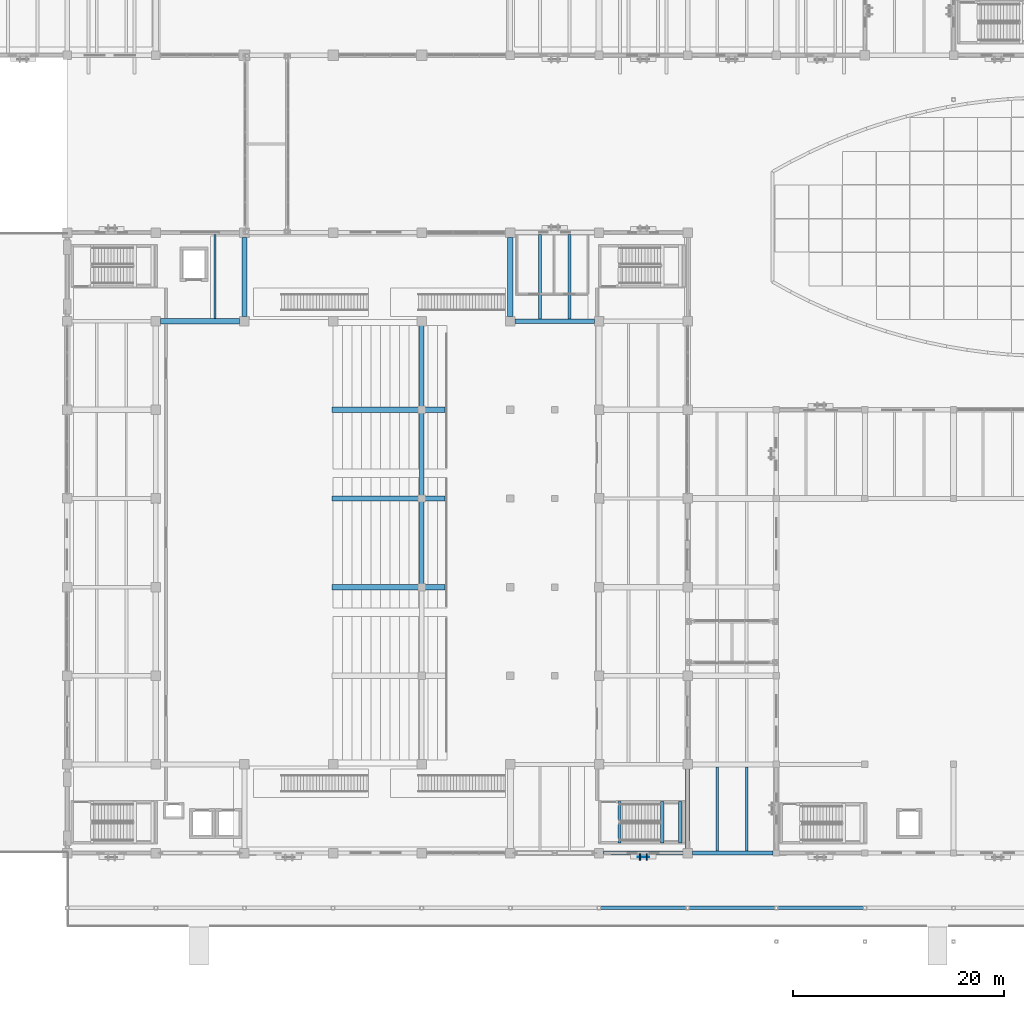
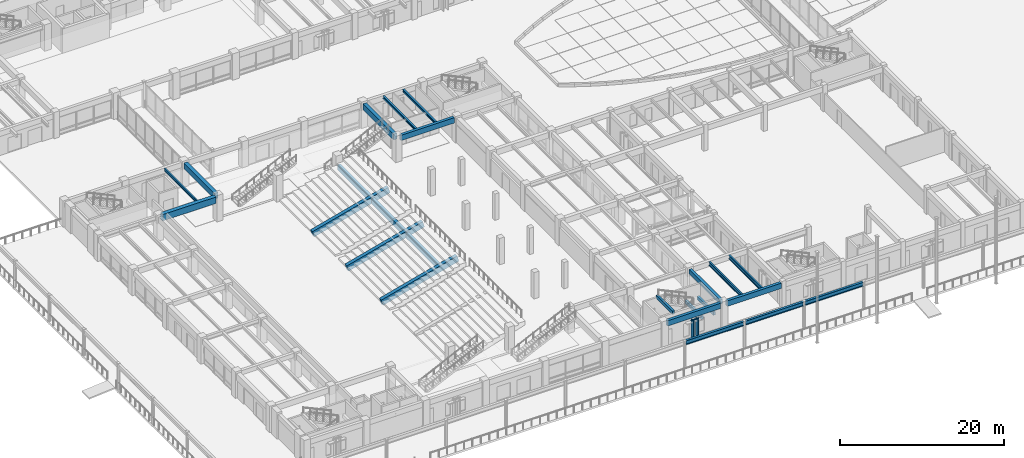
# One storey, part 28 of 135: 24 beams, 3 members, 1 element without a shape of its own.
"""IFC4 building model written with IfcOpenShell, lengths in metres."""

from ifc_helpers import new_model, si_unit, direction, frame, origin, origin_2d, place, context, subcontext, project, spatial, rectangle, i_section, extrude, material, material_profile, profile_set, type_object, element, aggregate, save


model = new_model("IFC4")

# Units and contexts
model_context = context("Model", 3, precision=1e-05, world=origin(), true_north=direction((0.0, 1.0)))
body_context = subcontext(model_context, "Body", "Model", "MODEL_VIEW")
ifc_project = project(units=[si_unit("LENGTHUNIT", "METRE"), si_unit("AREAUNIT", "SQUARE_METRE"), si_unit("VOLUMEUNIT", "CUBIC_METRE"), si_unit("PLANEANGLEUNIT", "RADIAN"), si_unit("MASSUNIT", "GRAM", prefix="KILO")], contexts=[model_context])

# Site, building, storey
site_placement = place(None, origin())
site = spatial("IfcSite", under=ifc_project, at=site_placement, CompositionType="ELEMENT")
building_placement = place(site_placement, origin())
building = spatial("IfcBuilding", under=site, at=building_placement, Name="Cumbredor Promenade Congress Hotel", CompositionType="ELEMENT")
storey_placement = place(building_placement, origin())
storey = spatial("IfcBuildingStorey", under=building, at=storey_placement, Name="L00", CompositionType="ELEMENT", Elevation=0.0)

# Beams
ifc_material_1 = material(Name="Concrete C40/50", Category="concrete")
ifc_material_profile_1 = material_profile(ifc_material_1, rectangle(XDim=0.39990234375, YDim=0.64990234375, at=origin_2d()), Name="RC BEAM 400x650")
ifc_profile_set_1 = profile_set([ifc_material_profile_1], Name="Concrete C40/50")
beam_type_1 = type_object("IfcBeamType", Name="BM-RC-400x650", PredefinedType="BEAM", material=ifc_profile_set_1)
beam_1_placement = place(storey_placement, frame((67.199951171875, 8.85009765625, 3.31494140625), z_axis=(0.0, 1.0, 0.0), x_axis=(-1.0, 0.0, 0.0)))
element("IfcBeam", 1, at=beam_1_placement, inside=storey, type_object=beam_type_1, Name="L01 Y-Grid Beam 110", PredefinedType="BEAM", context=body_context, shape_type="SweptSolid", body=[
    extrude(rectangle(XDim=0.39990234375, YDim=0.64990234375, at=origin_2d()), origin(), (0.0, 0.0, 1.0), 7.5),
])
ifc_material_profile_2 = material_profile(ifc_material_1, rectangle(XDim=0.449951171875, YDim=0.75, at=origin_2d()), Name="RC BEAM 450x750")
ifc_profile_set_2 = profile_set([ifc_material_profile_2], Name="Concrete C40/50")
beam_type_2 = type_object("IfcBeamType", Name="BM-RC-450x750", PredefinedType="BEAM", material=ifc_profile_set_2)
for number, where, z_axis, x_axis, name in (
    (2, (42.0, 33.60009765625, 2.14990234375), (0.0, 1.0, 0.0), (-1.0, 0.0, 0.0), "L00 Orchestra Raker Cross Stringer 3"),
    (3, (42.0, 42.0, 2.14990234375), (0.0, 1.0, 0.0), (-1.0, 0.0, 0.0), "L00 Orchestra Raker Cross Stringer 4"),
):
    element("IfcBeam", number, at=place(storey_placement, frame(where, z_axis=z_axis, x_axis=x_axis)), inside=storey, type_object=beam_type_2, Name=name, PredefinedType="BEAM", context=body_context, shape_type="SweptSolid", body=[
        extrude(rectangle(XDim=0.449951171875, YDim=0.75, at=origin_2d()), origin(), (0.0, 0.0, 1.0), 8.39990234375),
    ])
beam_2_placement = place(storey_placement, frame((42.0, 50.39990234375, 2.14990234375), z_axis=(0.0, 1.0, 0.0), x_axis=(-1.0, 0.0, 0.0)))
element("IfcBeam", 4, at=beam_2_placement, inside=storey, type_object=beam_type_2, Name="L00 Orchestra Raker Cross Stringer 5", PredefinedType="BEAM", context=body_context, shape_type="SweptSolid", body=[
    extrude(rectangle(XDim=0.449951171875, YDim=0.75, at=origin_2d()), origin(), (0.0, 0.0, 1.0), 8.050048828125),
])
ifc_material_profile_3 = material_profile(ifc_material_1, rectangle(XDim=0.5, YDim=0.85009765625, at=origin_2d()), Name="RC BEAM 500x850")
ifc_profile_set_3 = profile_set([ifc_material_profile_3], Name="Concrete C40/50")
beam_type_3 = type_object("IfcBeamType", Name="BM-RC-500x850", PredefinedType="BEAM", material=ifc_profile_set_3)
for number, where, z_axis, x_axis, name in (
    (5, (25.199951171875, 59.25, 3.215087890625), (0.0, 1.0, 0.0), (-1.0, 0.0, 0.0), "L01 Y-Grid Beam 052"),
    (6, (50.39990234375, 59.25, 3.215087890625), (0.0, 1.0, 0.0), (-1.0, 0.0, 0.0), "L01 Y-Grid Beam 076"),
):
    element("IfcBeam", number, at=place(storey_placement, frame(where, z_axis=z_axis, x_axis=x_axis)), inside=storey, type_object=beam_type_3, Name=name, PredefinedType="BEAM", context=body_context, shape_type="SweptSolid", body=[
        extrude(rectangle(XDim=0.5, YDim=0.85009765625, at=origin_2d()), origin(), (0.0, 0.0, 1.0), 7.5),
    ])
ifc_material_profile_4 = material_profile(ifc_material_1, rectangle(XDim=0.550048828125, YDim=0.949951171875, at=origin_2d()), Name="RC BEAM 550x950")
ifc_profile_set_4 = profile_set([ifc_material_profile_4], Name="Concrete C40/50")
beam_type_4 = type_object("IfcBeamType", Name="BM-RC-550x950", PredefinedType="BEAM", material=ifc_profile_set_4)
beam_3_placement = place(storey_placement, frame((17.25, 58.800048828125, 3.1650390625), z_axis=(1.0, 0.0, 0.0), x_axis=(0.0, 1.0, 0.0)))
element("IfcBeam", 7, at=beam_3_placement, inside=storey, type_object=beam_type_4, Name="L01 X-Grid Beam 041", PredefinedType="BEAM", context=body_context, shape_type="SweptSolid", body=[
    extrude(rectangle(XDim=0.550048828125, YDim=0.949951171875, at=origin_2d()), origin(), (0.0, 0.0, 1.0), 7.5),
])
ifc_material_2 = material(Name="Steel ASTM A992 Grade 50", Category="steel")
ifc_material_profile_5 = material_profile(ifc_material_2, i_section(OverallWidth=0.323974609375, OverallDepth=0.611083984375, WebThickness=0.0126953125, FlangeThickness=0.01904296875, at=origin_2d()), Name="W24X104")
ifc_profile_set_5 = profile_set([ifc_material_profile_5], Name="Steel ASTM A992 Grade 50")
beam_type_5 = type_object("IfcBeamType", Name="BM-W24X104", PredefinedType="BEAM", material=ifc_profile_set_5)
beam_4_placement = place(storey_placement, frame((58.93994140625, 3.199951171875, 3.60009765625), z_axis=(1.0, 0.0, 0.0), x_axis=(0.0, 1.0, 0.0)))
element("IfcBeam", 8, at=beam_4_placement, inside=storey, type_object=beam_type_5, Name="Riverside Colonnade Edge Beam 07", PredefinedType="BEAM", context=body_context, shape_type="SweptSolid", body=[
    extrude(i_section(OverallWidth=0.323974609375, OverallDepth=0.611083984375, WebThickness=0.0126953125, FlangeThickness=0.01904296875, at=origin_2d()), origin(), (0.0, 0.0, 1.0), 8.1201171875),
])
beam_5_placement = place(storey_placement, frame((67.340087890625, 3.199951171875, 3.60009765625), z_axis=(1.0, 0.0, 0.0), x_axis=(0.0, 1.0, 0.0)))
element("IfcBeam", 9, at=beam_5_placement, inside=storey, type_object=beam_type_5, Name="Riverside Colonnade Edge Beam 08", PredefinedType="BEAM", context=body_context, shape_type="SweptSolid", body=[
    extrude(i_section(OverallWidth=0.323974609375, OverallDepth=0.611083984375, WebThickness=0.0126953125, FlangeThickness=0.01904296875, at=origin_2d()), origin(), (0.0, 0.0, 1.0), 8.119873046875),
])
beam_6_placement = place(storey_placement, frame((75.739990234375, 3.199951171875, 3.60009765625), z_axis=(1.0, 0.0, 0.0), x_axis=(0.0, 1.0, 0.0)))
element("IfcBeam", 10, at=beam_6_placement, inside=storey, type_object=beam_type_5, Name="Riverside Colonnade Edge Beam 09", PredefinedType="BEAM", context=body_context, shape_type="SweptSolid", body=[
    extrude(i_section(OverallWidth=0.323974609375, OverallDepth=0.611083984375, WebThickness=0.0126953125, FlangeThickness=0.01904296875, at=origin_2d()), origin(), (0.0, 0.0, 1.0), 8.1201171875),
])

# Curtain wall, member
ifc_material_3 = material(Name="Thermally broken anodized aluminium and low-E glass", Category="aluminium")
curtain_wall_type = type_object("IfcCurtainWallType", Name="Solar Brise-Soleil Screen Assembly CW-07", PredefinedType="NOTDEFINED", material=ifc_material_3)
curtain_wall_placement = place(storey_placement, origin())
curtain_wall = element("IfcCurtainWall", 11, at=curtain_wall_placement, inside=storey, type_object=curtain_wall_type, Name="L00 Pier Brise-Soleil Screen 0007", PredefinedType="NOTDEFINED")
ifc_material_4 = material(Name="Thermally broken anodized aluminium", Category="aluminium")
ifc_material_profile_6 = material_profile(ifc_material_4, rectangle(XDim=0.06494140625, YDim=0.1298828125, at=origin_2d()), Name="ALU TRANSOM 65x130")
ifc_profile_set_6 = profile_set([ifc_material_profile_6], Name="Thermally broken anodized aluminium")
member_type_1 = type_object("IfcMemberType", Name="Curtain Wall Transom TR-01", PredefinedType="USERDEFINED", material=ifc_profile_set_6)
member_1_placement = place(storey_placement, frame((62.449951171875, 8.010009765625, 2.6650390625), z_axis=(1.0, 0.0, 0.0), x_axis=(0.0, 1.0, 0.0)))
member_1 = element("IfcMember", 12, at=member_1_placement, type_object=member_type_1, Name="L00 Pier Brise-Soleil Header 0009", ObjectType="TRANSOM", PredefinedType="USERDEFINED", context=body_context, shape_type="SweptSolid", body=[
    extrude(rectangle(XDim=0.06494140625, YDim=0.1298828125, at=origin_2d()), origin(), (0.0, 0.0, 1.0), 1.10009765625),
])

# Beams
ifc_material_profile_7 = material_profile(ifc_material_2, i_section(OverallWidth=0.2548828125, OverallDepth=0.35693359375, WebThickness=0.010498046875, FlangeThickness=0.018310546875, at=origin_2d()), Name="W14X68")
ifc_profile_set_7 = profile_set([ifc_material_profile_7], Name="Steel ASTM A992 Grade 50")
beam_type_6 = type_object("IfcBeamType", Name="JST-W14X68", PredefinedType="JOIST", material=ifc_profile_set_7)
for number, where, z_axis, x_axis, name in (
    (13, (53.199951171875, 59.0, 3.46142578125), (0.0, 1.0, 0.0), (-1.0, 0.0, 0.0), "L01 Secondary Floor Joist 0034"),
    (14, (56.0, 59.0, 3.46142578125), (0.0, 1.0, 0.0), (-1.0, 0.0, 0.0), "L01 Secondary Floor Joist 0035"),
):
    element("IfcBeam", number, at=place(storey_placement, frame(where, z_axis=z_axis, x_axis=x_axis)), inside=storey, type_object=beam_type_6, Name=name, PredefinedType="JOIST", context=body_context, shape_type="SweptSolid", body=[
        extrude(i_section(OverallWidth=0.2548828125, OverallDepth=0.35693359375, WebThickness=0.010498046875, FlangeThickness=0.018310546875, at=origin_2d()), origin(), (0.0, 0.0, 1.0), 8.0),
    ])
ifc_material_profile_8 = material_profile(ifc_material_2, i_section(OverallWidth=0.180908203125, OverallDepth=0.4169921875, WebThickness=0.010986328125, FlangeThickness=0.018310546875, at=origin_2d()), Name="W16X57")
ifc_profile_set_8 = profile_set([ifc_material_profile_8], Name="Steel ASTM A992 Grade 50")
beam_type_7 = type_object("IfcBeamType", Name="JST-W16X57", PredefinedType="JOIST", material=ifc_profile_set_8)
beam_7_placement = place(storey_placement, frame((22.39990234375, 59.074951171875, 3.431396484375), z_axis=(0.0, 1.0, 0.0), x_axis=(-1.0, 0.0, 0.0)))
element("IfcBeam", 15, at=beam_7_placement, inside=storey, type_object=beam_type_7, Name="L01 Secondary Floor Joist 0025", PredefinedType="JOIST", context=body_context, shape_type="SweptSolid", body=[
    extrude(i_section(OverallWidth=0.180908203125, OverallDepth=0.4169921875, WebThickness=0.010986328125, FlangeThickness=0.018310546875, at=origin_2d()), origin(), (0.0, 0.0, 1.0), 7.925048828125),
])
ifc_material_profile_9 = material_profile(ifc_material_2, i_section(OverallWidth=0.214111328125, OverallDepth=0.549072265625, WebThickness=0.0146484375, FlangeThickness=0.023681640625, at=origin_2d()), Name="W21X93")
ifc_profile_set_9 = profile_set([ifc_material_profile_9], Name="Steel ASTM A992 Grade 50")
beam_type_8 = type_object("IfcBeamType", Name="JST-W21X93", PredefinedType="JOIST", material=ifc_profile_set_9)
for number, where, z_axis, x_axis, name in (
    (16, (70.0, 8.60009765625, 3.365478515625), (0.0, 1.0, 0.0), (-1.0, 0.0, 0.0), "L01 Secondary Floor Joist 0062"),
    (17, (72.800048828125, 8.60009765625, 3.365478515625), (0.0, 1.0, 0.0), (-1.0, 0.0, 0.0), "L01 Secondary Floor Joist 0063"),
):
    element("IfcBeam", number, at=place(storey_placement, frame(where, z_axis=z_axis, x_axis=x_axis)), inside=storey, type_object=beam_type_8, Name=name, PredefinedType="JOIST", context=body_context, shape_type="SweptSolid", body=[
        extrude(i_section(OverallWidth=0.214111328125, OverallDepth=0.549072265625, WebThickness=0.0146484375, FlangeThickness=0.023681640625, at=origin_2d()), origin(), (0.0, 0.0, 1.0), 7.974853515625),
    ])
ifc_material_profile_10 = material_profile(ifc_material_1, rectangle(XDim=0.300048828125, YDim=0.5, at=origin_2d()), Name="RC LINTEL 300x500")
ifc_profile_set_10 = profile_set([ifc_material_profile_10], Name="Concrete C40/50")
beam_type_9 = type_object("IfcBeamType", Name="LN-RC-300x500", PredefinedType="LINTEL", material=ifc_profile_set_10)
for number, where, z_axis, x_axis, name in (
    (18, (66.5, 9.330078125, 1.510009765625), (0.0, 1.0, 0.0), (-1.0, 0.0, 0.0), "L00 Stair ST-05 Landing Ledger Beam E"),
    (19, (64.800048828125, 9.330078125, 1.510009765625), (0.0, 1.0, 0.0), (-1.0, 0.0, 0.0), "L00 Stair ST-05 Landing Ledger Beam W"),
    (20, (60.75, 9.330078125, 3.669921875), (0.0, 1.0, 0.0), (-1.0, 0.0, 0.0), "L01 Stair ST-05 Well Header Trimmer Beam"),
):
    element("IfcBeam", number, at=place(storey_placement, frame(where, z_axis=z_axis, x_axis=x_axis)), inside=storey, type_object=beam_type_9, Name=name, PredefinedType="LINTEL", context=body_context, shape_type="SweptSolid", body=[
        extrude(rectangle(XDim=0.300048828125, YDim=0.5, at=origin_2d()), origin(), (0.0, 0.0, 1.0), 3.969970703125),
    ])
ifc_material_profile_11 = material_profile(ifc_material_1, rectangle(XDim=0.5, YDim=0.89990234375, at=origin_2d()), Name="RC RAKER 500x900")
ifc_profile_set_11 = profile_set([ifc_material_profile_11], Name="Concrete C40/50")
beam_type_10 = type_object("IfcBeamType", Name="RK-RC-500x900", PredefinedType="USERDEFINED", material=ifc_profile_set_11)
for number, where, z_axis, x_axis, name in (
    (21, (33.60009765625, 33.60009765625, 0.050048828125), (0.966312842237, 0.0, 0.257370338089), (0.0, 1.0, 0.0), "Plenary Hall Lower Raker Beam Y33"),
    (22, (33.60009765625, 42.0, 0.050048828125), (0.966312842237, 0.0, 0.257370338089), (0.0, 1.0, 0.0), "Plenary Hall Lower Raker Beam Y42"),
    (23, (33.60009765625, 50.39990234375, 0.050048828125), (0.966312842237, 0.0, 0.257370338089), (0.0, 1.0, 0.0), "Plenary Hall Lower Raker Beam Y50"),
):
    element("IfcBeam", number, at=place(storey_placement, frame(where, z_axis=z_axis, x_axis=x_axis)), inside=storey, type_object=beam_type_10, Name=name, ObjectType="RAKER BEAM", PredefinedType="USERDEFINED", context=body_context, shape_type="SweptSolid", body=[
        extrude(rectangle(XDim=0.5, YDim=0.89990234375, at=origin_2d()), origin(), (0.0, 0.0, 1.0), 11.072998046875),
    ])
ifc_material_profile_12 = material_profile(ifc_material_1, rectangle(XDim=0.39990234375, YDim=0.800048828125, at=origin_2d()), Name="RC SPANDREL 400x800")
ifc_profile_set_12 = profile_set([ifc_material_profile_12], Name="Concrete C40/50")
beam_type_11 = type_object("IfcBeamType", Name="SP-RC-400x800", PredefinedType="SPANDREL", material=ifc_profile_set_12)
for number, where, z_axis, x_axis, name in (
    (24, (50.85009765625, 58.800048828125, 3.239990234375), (1.0, 0.0, 0.0), (0.0, 1.0, 0.0), "L01 X-Grid Beam 075"),
    (25, (59.25, 8.39990234375, 3.239990234375), (1.0, 0.0, 0.0), (0.0, 1.0, 0.0), "L01 X-Grid Beam 087"),
):
    element("IfcBeam", number, at=place(storey_placement, frame(where, z_axis=z_axis, x_axis=x_axis)), inside=storey, type_object=beam_type_11, Name=name, PredefinedType="SPANDREL", context=body_context, shape_type="SweptSolid", body=[
        extrude(rectangle(XDim=0.39990234375, YDim=0.800048828125, at=origin_2d()), origin(), (0.0, 0.0, 1.0), 7.5),
    ])
beam_8_placement = place(storey_placement, frame((67.64990234375, 8.39990234375, 3.239990234375), z_axis=(1.0, 0.0, 0.0), x_axis=(0.0, 1.0, 0.0)))
element("IfcBeam", 26, at=beam_8_placement, inside=storey, type_object=beam_type_11, Name="L01 X-Grid Beam 109", PredefinedType="SPANDREL", context=body_context, shape_type="SweptSolid", body=[
    extrude(rectangle(XDim=0.39990234375, YDim=0.800048828125, at=origin_2d()), origin(), (0.0, 0.0, 1.0), 7.650146484375),
])

# Member
ifc_material_profile_13 = material_profile(ifc_material_4, rectangle(XDim=0.110107421875, YDim=0.6201171875, at=origin_2d()), Name="ARCH FIN 110x620")
ifc_profile_set_13 = profile_set([ifc_material_profile_13], Name="Thermally broken anodized aluminium")
member_type_2 = type_object("IfcMemberType", Name="Vertical Bronze Brise-Soleil Fin BSF-02 110x620", PredefinedType="USERDEFINED", material=ifc_profile_set_13)
member_2_placement = place(storey_placement, frame((62.679931640625, 8.010009765625, 0.02001953125), z_axis=(0.0, 0.0, 1.0), x_axis=(1.0, 0.0, 0.0)))
member_2 = element("IfcMember", 27, at=member_2_placement, type_object=member_type_2, Name="L00 Pier Brise-Soleil Fin 0008", ObjectType="SOLAR FIN", PredefinedType="USERDEFINED", context=body_context, shape_type="SweptSolid", body=[
    extrude(rectangle(XDim=0.110107421875, YDim=0.6201171875, at=origin_2d()), origin(), (0.0, 0.0, 1.0), 2.68505859375),
])

member_3_placement = place(storey_placement, frame((63.320068359375, 8.010009765625, 0.02001953125), z_axis=(0.0, 0.0, 1.0), x_axis=(1.0, 0.0, 0.0)))
member_3 = element("IfcMember", 28, at=member_3_placement, type_object=member_type_2, Name="L00 Pier Brise-Soleil Fin 0009", ObjectType="SOLAR FIN", PredefinedType="USERDEFINED", context=body_context, shape_type="SweptSolid", body=[
    extrude(rectangle(XDim=0.110107421875, YDim=0.6201171875, at=origin_2d()), origin(), (0.0, 0.0, 1.0), 2.68505859375),
])

aggregate(curtain_wall, [member_2, member_3, member_1])

save(model, "model.ifc")
